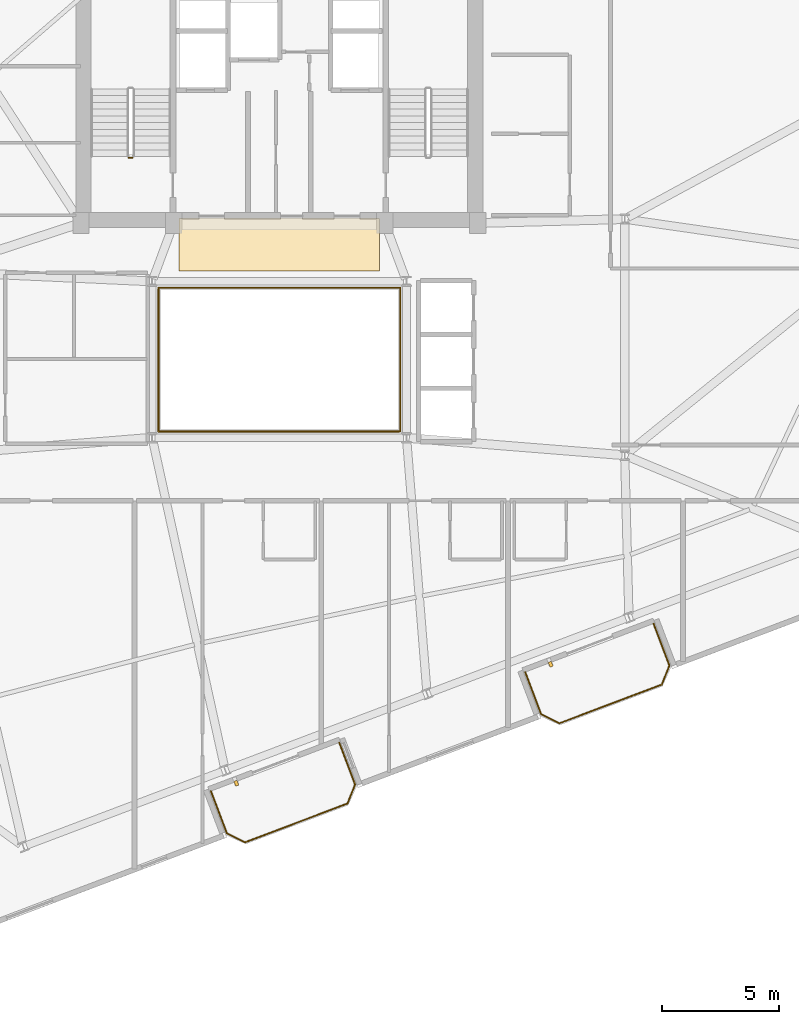
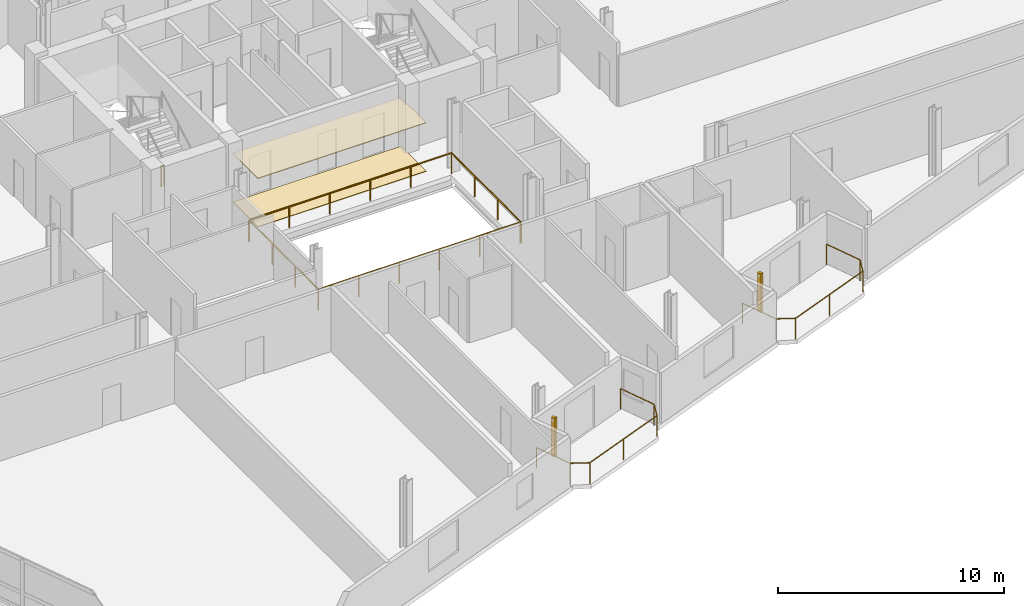
# One storey, part 19 of 20: 5 railings, 2 coverings, 2 shading devices.
"""IFC4 building model written with IfcOpenShell, lengths in metres."""

from ifc_helpers import new_model, si_unit, direction, frame, origin, origin_2d, place, context, subcontext, project, spatial, rectangle, circle, extrude, source, transform, mapped, material, layer, layer_set, type_object, element, save


model = new_model("IFC4")

# Units and contexts
model_context = context("Model", 3, precision=1e-05, world=origin(), true_north=direction((0.0, 1.0)))
body_context = subcontext(model_context, "Body", "Model", "MODEL_VIEW")
ifc_project = project(units=[si_unit("LENGTHUNIT", "METRE"), si_unit("AREAUNIT", "SQUARE_METRE"), si_unit("VOLUMEUNIT", "CUBIC_METRE"), si_unit("PLANEANGLEUNIT", "RADIAN"), si_unit("MASSUNIT", "GRAM", prefix="KILO")], contexts=[model_context])

# Site, building, storey
site_placement = place(None, origin())
site = spatial("IfcSite", under=ifc_project, at=site_placement, CompositionType="ELEMENT")
building_placement = place(site_placement, origin())
building = spatial("IfcBuilding", under=site, at=building_placement, Name="Varnelok Gate Tower", CompositionType="ELEMENT")
storey_placement = place(building_placement, frame((0.0, 0.0, 234.89990234375)))
storey = spatial("IfcBuildingStorey", under=building, at=storey_placement, Name="L60", CompositionType="ELEMENT", Elevation=234.89990234375)

# Railings
ifc_material_1 = material(Name="Tempered Laminated Balustrade Glass", Category="glass")
railing_type_1 = type_object("IfcRailingType", Name="RL-ATR-GUARD1150", PredefinedType="GUARDRAIL", material=ifc_material_1)
railing_1_placement = place(storey_placement, frame((34.02001953125, 25.929931640625, 0.0)))
element("IfcRailing", 1, at=railing_1_placement, inside=storey, type_object=railing_type_1, Name="L60 Internal Atrium South-West Guardrail", PredefinedType="GUARDRAIL", context=body_context, shape_type="SweptSolid", body=[
    extrude(circle(Radius=0.02392578125, at=origin_2d()), frame((0.0, 0.0, 1.1259765625), z_axis=(0.0, -1.0, 0.0), x_axis=(1.0, 0.0, 0.0)), (0.0, 0.0, 1.0), 6.10986328125),
    extrude(circle(Radius=0.02392578125, at=origin_2d()), frame((0.0, -6.10986328125, 1.1259765625), z_axis=(1.0, 0.0, 0.0), x_axis=(0.0, 1.0, 0.0)), (0.0, 0.0, 1.0), 10.31005859375),
    extrude(circle(Radius=0.02099609375, at=origin_2d()), origin(), (0.0, 0.0, 1.0), 1.101806640625),
    extrude(circle(Radius=0.02099609375, at=origin_2d()), frame((0.0, -2.03662109375, 0.0)), (0.0, 0.0, 1.0), 1.101806640625),
    extrude(circle(Radius=0.02099609375, at=origin_2d()), frame((0.0, -4.0732421875, 0.0)), (0.0, 0.0, 1.0), 1.101806640625),
    extrude(circle(Radius=0.02099609375, at=origin_2d()), frame((0.0, -6.10986328125, 0.0)), (0.0, 0.0, 1.0), 1.101806640625),
    extrude(circle(Radius=0.02099609375, at=origin_2d()), frame((2.06201171875, -6.10986328125, 0.0)), (0.0, 0.0, 1.0), 1.101806640625),
    extrude(circle(Radius=0.02099609375, at=origin_2d()), frame((4.1240234375, -6.10986328125, 0.0)), (0.0, 0.0, 1.0), 1.101806640625),
    extrude(circle(Radius=0.02099609375, at=origin_2d()), frame((6.18603515625, -6.10986328125, 0.0)), (0.0, 0.0, 1.0), 1.101806640625),
    extrude(circle(Radius=0.02099609375, at=origin_2d()), frame((8.248046875, -6.10986328125, 0.0)), (0.0, 0.0, 1.0), 1.101806640625),
    extrude(circle(Radius=0.02099609375, at=origin_2d()), frame((10.31005859375, -6.10986328125, 0.0)), (0.0, 0.0, 1.0), 1.101806640625),
])
railing_2_placement = place(storey_placement, frame((44.3798828125, 19.820068359375, 0.0)))
element("IfcRailing", 2, at=railing_2_placement, inside=storey, type_object=railing_type_1, Name="L60 Internal Atrium North-East Guardrail", PredefinedType="GUARDRAIL", context=body_context, shape_type="SweptSolid", body=[
    extrude(circle(Radius=0.02392578125, at=origin_2d()), frame((0.0, 0.0, 1.1259765625), z_axis=(0.0, 1.0, 0.0), x_axis=(-1.0, 0.0, 0.0)), (0.0, 0.0, 1.0), 6.159912109375),
    extrude(circle(Radius=0.02392578125, at=origin_2d()), frame((0.0, 6.159912109375, 1.1259765625), z_axis=(-1.0, 0.0, 0.0), x_axis=(0.0, -1.0, 0.0)), (0.0, 0.0, 1.0), 10.35986328125),
    extrude(circle(Radius=0.02099609375, at=origin_2d()), origin(), (0.0, 0.0, 1.0), 1.101806640625),
    extrude(circle(Radius=0.02099609375, at=origin_2d()), frame((0.0, 2.05322265625, 0.0)), (0.0, 0.0, 1.0), 1.101806640625),
    extrude(circle(Radius=0.02099609375, at=origin_2d()), frame((0.0, 4.106689453125, 0.0)), (0.0, 0.0, 1.0), 1.101806640625),
    extrude(circle(Radius=0.02099609375, at=origin_2d()), frame((0.0, 6.159912109375, 0.0)), (0.0, 0.0, 1.0), 1.101806640625),
    extrude(circle(Radius=0.02099609375, at=origin_2d()), frame((-2.072021484375, 6.159912109375, 0.0)), (0.0, 0.0, 1.0), 1.101806640625),
    extrude(circle(Radius=0.02099609375, at=origin_2d()), frame((-4.14404296875, 6.159912109375, 0.0)), (0.0, 0.0, 1.0), 1.101806640625),
    extrude(circle(Radius=0.02099609375, at=origin_2d()), frame((-6.2158203125, 6.159912109375, 0.0)), (0.0, 0.0, 1.0), 1.101806640625),
    extrude(circle(Radius=0.02099609375, at=origin_2d()), frame((-8.287841796875, 6.159912109375, 0.0)), (0.0, 0.0, 1.0), 1.101806640625),
    extrude(circle(Radius=0.02099609375, at=origin_2d()), frame((-10.35986328125, 6.159912109375, 0.0)), (0.0, 0.0, 1.0), 1.101806640625),
])
ifc_material_2 = material(Name="Low-E Laminated Double Glazing IGU", Category="glass")
railing_type_2 = type_object("IfcRailingType", Name="RL-BALC-1150", PredefinedType="BALUSTRADE", material=ifc_material_2)
railing_3_placement = place(storey_placement, frame((36.26708984375, 4.408203125, 0.0)))
element("IfcRailing", 3, at=railing_3_placement, inside=storey, type_object=railing_type_2, Name="L60 South Terrace Balustrade 1", PredefinedType="BALUSTRADE", context=body_context, shape_type="SweptSolid", body=[
    extrude(circle(Radius=0.02392578125, at=origin_2d()), frame((0.0, 0.0, 1.1259765625), z_axis=(0.354006333352, -0.935243025073, 0.0), x_axis=(0.935243025073, 0.354006333352, 0.0)), (0.0, 0.0, 1.0), 1.919921875),
    extrude(circle(Radius=0.02392578125, at=origin_2d()), frame((0.6796875, -1.795654296875, 1.1259765625), z_axis=(0.89078254773, -0.454429810487, 0.0), x_axis=(0.454429810487, 0.89078254773, 0.0)), (0.0, 0.0, 1.0), 0.8779296875),
    extrude(circle(Radius=0.02392578125, at=origin_2d()), frame((1.461669921875, -2.194580078125, 1.1259765625), z_axis=(0.935223045203, 0.354059113314, 0.0), x_axis=(-0.354059113314, 0.935223045203, 0.0)), (0.0, 0.0, 1.0), 4.699951171875),
    extrude(circle(Radius=0.02392578125, at=origin_2d()), frame((5.857177734375, -0.530517578125, 1.1259765625), z_axis=(0.366254584666, 0.930514685113, 0.0), x_axis=(-0.930514685113, 0.366254584666, 0.0)), (0.0, 0.0, 1.0), 0.8779296875),
    extrude(circle(Radius=0.02392578125, at=origin_2d()), frame((6.1787109375, 0.286376953125, 1.1259765625), z_axis=(-0.354048437536, 0.935227086797, 0.0), x_axis=(-0.935227086797, -0.354048437536, 0.0)), (0.0, 0.0, 1.0), 1.919677734375),
    extrude(circle(Radius=0.02099609375, at=origin_2d()), origin(), (0.0, 0.0, 1.0), 1.101806640625),
    extrude(circle(Radius=0.02099609375, at=origin_2d()), frame((0.6796875, -1.795654296875, 0.0)), (0.0, 0.0, 1.0), 1.101806640625),
    extrude(circle(Radius=0.02099609375, at=origin_2d()), frame((1.461669921875, -2.194580078125, 0.0)), (0.0, 0.0, 1.0), 1.101806640625),
    extrude(circle(Radius=0.02099609375, at=origin_2d()), frame((3.659423828125, -1.362548828125, 0.0)), (0.0, 0.0, 1.0), 1.101806640625),
    extrude(circle(Radius=0.02099609375, at=origin_2d()), frame((5.857177734375, -0.530517578125, 0.0)), (0.0, 0.0, 1.0), 1.101806640625),
    extrude(circle(Radius=0.02099609375, at=origin_2d()), frame((6.1787109375, 0.286376953125, 0.0)), (0.0, 0.0, 1.0), 1.101806640625),
    extrude(circle(Radius=0.02099609375, at=origin_2d()), frame((5.4990234375, 2.081787109375, 0.0)), (0.0, 0.0, 1.0), 1.101806640625),
])
railing_4_placement = place(storey_placement, frame((49.734130859375, 9.506591796875, 0.0)))
element("IfcRailing", 4, at=railing_4_placement, inside=storey, type_object=railing_type_2, Name="L60 South Terrace Balustrade 2", PredefinedType="BALUSTRADE", context=body_context, shape_type="SweptSolid", body=[
    extrude(circle(Radius=0.02392578125, at=origin_2d()), frame((0.0, 0.0, 1.1259765625), z_axis=(0.354159661475, -0.935184973245, 0.0), x_axis=(0.935184973245, 0.354159661475, 0.0)), (0.0, 0.0, 1.0), 1.919921875),
    extrude(circle(Radius=0.02392578125, at=origin_2d()), frame((0.679931640625, -1.79541015625, 1.1259765625), z_axis=(0.890612455555, -0.454763074589, 0.0), x_axis=(0.454763074589, 0.890612455555, 0.0)), (0.0, 0.0, 1.0), 0.877685546875),
    extrude(circle(Radius=0.02392578125, at=origin_2d()), frame((1.461669921875, -2.194580078125, 1.1259765625), z_axis=(0.935212356898, 0.354087344458, 0.0), x_axis=(-0.354087344458, 0.935212356898, 0.0)), (0.0, 0.0, 1.0), 4.7001953125),
    extrude(circle(Radius=0.02392578125, at=origin_2d()), frame((5.857421875, -0.5302734375, 1.1259765625), z_axis=(0.366349384437, 0.930477365938, 0.0), x_axis=(-0.930477365938, 0.366349384437, 0.0)), (0.0, 0.0, 1.0), 0.877685546875),
    extrude(circle(Radius=0.02392578125, at=origin_2d()), frame((6.178955078125, 0.286376953125, 1.1259765625), z_axis=(-0.354006333352, 0.935243025073, 0.0), x_axis=(-0.935243025073, -0.354006333352, 0.0)), (0.0, 0.0, 1.0), 1.919921875),
    extrude(circle(Radius=0.02099609375, at=origin_2d()), origin(), (0.0, 0.0, 1.0), 1.101806640625),
    extrude(circle(Radius=0.02099609375, at=origin_2d()), frame((0.679931640625, -1.79541015625, 0.0)), (0.0, 0.0, 1.0), 1.101806640625),
    extrude(circle(Radius=0.02099609375, at=origin_2d()), frame((1.461669921875, -2.194580078125, 0.0)), (0.0, 0.0, 1.0), 1.101806640625),
    extrude(circle(Radius=0.02099609375, at=origin_2d()), frame((3.65966796875, -1.3623046875, 0.0)), (0.0, 0.0, 1.0), 1.101806640625),
    extrude(circle(Radius=0.02099609375, at=origin_2d()), frame((5.857421875, -0.5302734375, 0.0)), (0.0, 0.0, 1.0), 1.101806640625),
    extrude(circle(Radius=0.02099609375, at=origin_2d()), frame((6.178955078125, 0.286376953125, 0.0)), (0.0, 0.0, 1.0), 1.101806640625),
    extrude(circle(Radius=0.02099609375, at=origin_2d()), frame((5.499267578125, 2.08203125, 0.0)), (0.0, 0.0, 1.0), 1.101806640625),
])
ifc_material_3 = material(Name="Galvanized Steel Grade S350GD", Category="steel")
railing_type_3 = type_object("IfcRailingType", Name="RL-STAIR-GUARD1120", PredefinedType="GUARDRAIL", material=ifc_material_3)
railing_5_placement = place(storey_placement, frame((32.89990234375, 31.550048828125, 0.0)))
element("IfcRailing", 5, at=railing_5_placement, inside=storey, type_object=railing_type_3, Name="L60 ST-1 stair guard 4", PredefinedType="GUARDRAIL", context=body_context, shape_type="SweptSolid", body=[
    extrude(circle(Radius=0.02392578125, at=origin_2d()), frame((0.0, 0.0, 1.09619140625), z_axis=(-1.0, 0.0, 0.0), x_axis=(0.0, -1.0, 0.0)), (0.0, 0.0, 1.0), 0.14990234375),
    extrude(circle(Radius=0.02099609375, at=origin_2d()), origin(), (0.0, 0.0, 1.0), 1.072021484375),
    extrude(circle(Radius=0.02099609375, at=origin_2d()), frame((-0.14990234375, 0.0, 0.0)), (0.0, 0.0, 1.0), 1.072021484375),
])

# Shading devices
ifc_material_4 = material(Name="Glazed Architectural Terracotta Ceramic", Category="masonry")
shading_device_type = type_object("IfcShadingDeviceType", Name="SHD-TERRA-BAGUETTE", PredefinedType="USERDEFINED", material=ifc_material_4)
shared_shape_1 = source(origin(), body_context, "Body", "SweptSolid", [
    extrude(rectangle(XDim=0.139892578125, YDim=0.219970703125, at=origin_2d()), origin(), (0.0, 0.0, 1.0), 2.10009765625),
])
for number, where, z_axis, x_axis, name in (
    (6, (37.35791015625, 4.746337890625, 0.10009765625), (0.0, 0.0, 1.0), (0.935221751401, 0.354062530786, 0.0), "L60 Terracotta Ceramic Baguette Sunscreen 1.1"),
    (7, (50.8251953125, 9.844970703125, 0.10009765625), (0.0, 0.0, 1.0), (0.935221751401, 0.354062530786, 0.0), "L60 Terracotta Ceramic Baguette Sunscreen 2.1"),
):
    element("IfcShadingDevice", number, at=place(storey_placement, frame(where, z_axis=z_axis, x_axis=x_axis)), inside=storey, type_object=shading_device_type, Name=name, ObjectType="BAGUETTE", PredefinedType="USERDEFINED", context=body_context, shape_type="MappedRepresentation", body=[
        mapped(shared_shape_1, transform((0.0, 0.0, 0.0), scale=1.0)),
    ])

# Coverings
ifc_material_5 = material(Name="Honed Travertine Stone Flooring", Category="masonry")
ifc_layer_1 = layer(ifc_material_5, 0.02490234375)
ifc_layer_set_1 = layer_set([ifc_layer_1], Name="Honed Travertine Stone Flooring")
covering_type_1 = type_object("IfcCoveringType", Name="COV-FLOR-STONE", PredefinedType="FLOORING", material=ifc_layer_set_1)
shared_shape_2 = source(origin(), body_context, "Body", "SweptSolid", [
    extrude(rectangle(XDim=8.60009765625, YDim=2.219970703125, at=origin_2d()), origin(), (0.0, 0.0, 1.0), 0.02490234375),
])
covering_1_placement = place(storey_placement, frame((39.199951171875, 27.800048828125, 0.000244140625), z_axis=(0.0, 0.0, 1.0), x_axis=(1.0, 0.0, 0.0)))
element("IfcCovering", 8, at=covering_1_placement, inside=storey, type_object=covering_type_1, Name="L60 Core Gallery Stone Flooring", PredefinedType="FLOORING", context=body_context, shape_type="MappedRepresentation", body=[
    mapped(shared_shape_2, transform((0.0, 0.0, 0.0), scale=1.0)),
])
ifc_material_6 = material(Name="Mineral Fiber Acoustic Ceiling Tile")
ifc_layer_2 = layer(ifc_material_6, 0.0400390625)
ifc_layer_set_2 = layer_set([ifc_layer_2], Name="Mineral Fiber Acoustic Ceiling Tile")
covering_type_2 = type_object("IfcCoveringType", Name="COV-CEIL-ACOUST", PredefinedType="CEILING", material=ifc_layer_set_2)
shared_shape_3 = source(origin(), body_context, "Body", "SweptSolid", [
    extrude(rectangle(XDim=8.60009765625, YDim=2.239990234375, at=origin_2d()), origin(), (0.0, 0.0, 1.0), 0.0400390625),
])
covering_2_placement = place(storey_placement, frame((39.199951171875, 27.820068359375, 2.60009765625), z_axis=(0.0, 0.0, 1.0), x_axis=(1.0, 0.0, 0.0)))
element("IfcCovering", 9, at=covering_2_placement, inside=storey, type_object=covering_type_2, Name="L60 Core Gallery Acoustic Ceiling", PredefinedType="CEILING", context=body_context, shape_type="MappedRepresentation", body=[
    mapped(shared_shape_3, transform((0.0, 0.0, 0.0), scale=1.0)),
])

save(model, "model.ifc")
